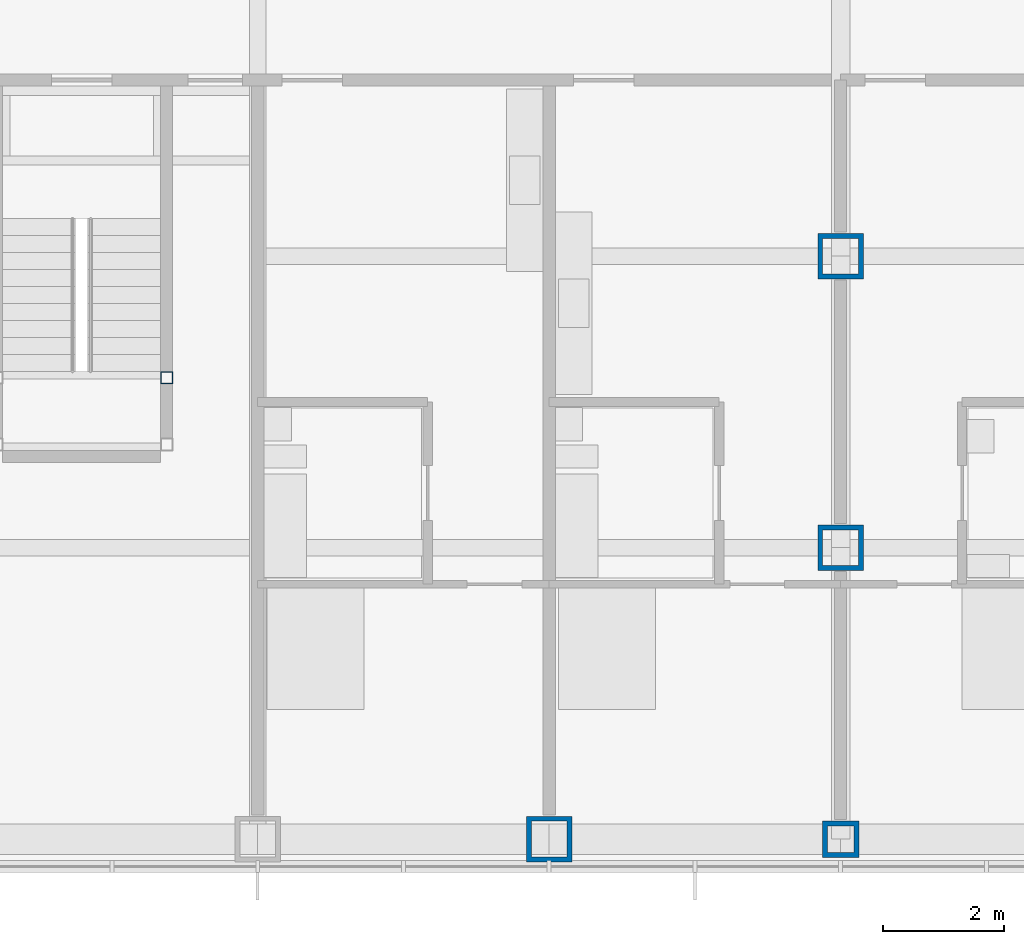
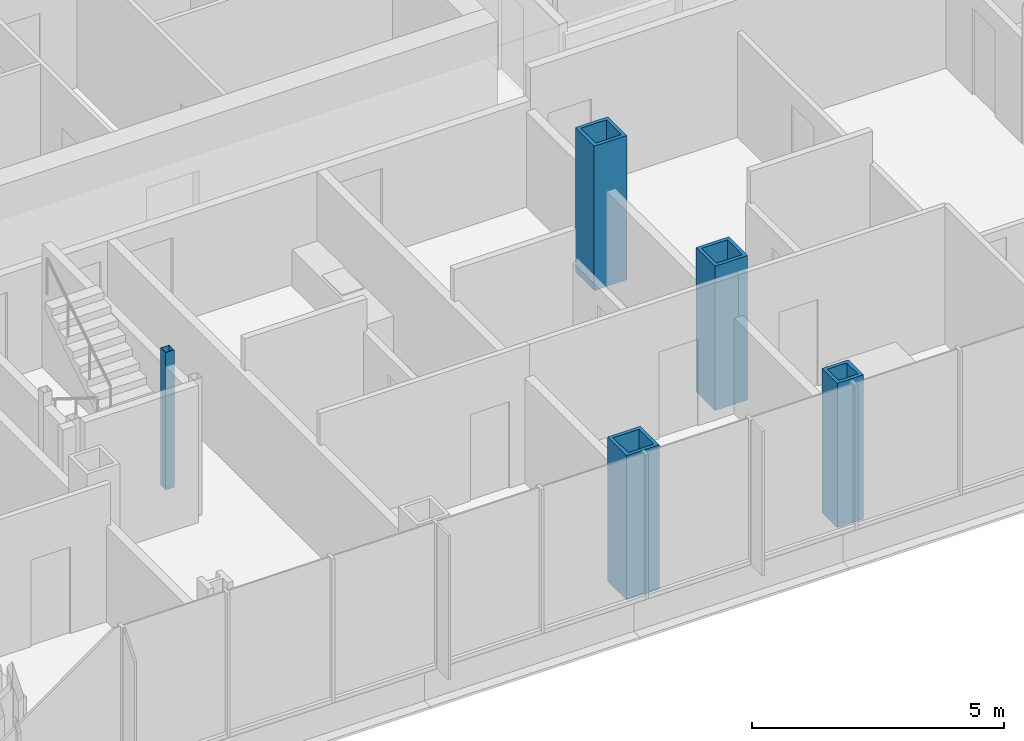
# One storey, part 2 of 21: 5 columns.
"""IFC4 building model written with IfcOpenShell, lengths in metres."""

from ifc_helpers import new_model, si_unit, direction, frame, origin, origin_2d, place, context, subcontext, project, spatial, hollow_rectangle, extrude, material, material_profile, profile_set, type_object, element, save


model = new_model("IFC4")

# Units and contexts
model_context = context("Model", 3, precision=1e-05, world=origin(), true_north=direction((0.0, 1.0)))
body_context = subcontext(model_context, "Body", "Model", "MODEL_VIEW")
ifc_project = project(units=[si_unit("LENGTHUNIT", "METRE"), si_unit("AREAUNIT", "SQUARE_METRE"), si_unit("VOLUMEUNIT", "CUBIC_METRE"), si_unit("PLANEANGLEUNIT", "RADIAN"), si_unit("MASSUNIT", "GRAM", prefix="KILO")], contexts=[model_context])

# Site, building, storey
site_placement = place(None, origin())
site = spatial("IfcSite", under=ifc_project, at=site_placement, CompositionType="ELEMENT")
building_placement = place(site_placement, origin())
building = spatial("IfcBuilding", under=site, at=building_placement, Name="Kvirike Care Tower", CompositionType="ELEMENT")
storey_placement = place(building_placement, frame((0.0, 0.0, 51.5)))
storey = spatial("IfcBuildingStorey", under=building, at=storey_placement, Name="L13", CompositionType="ELEMENT", Elevation=51.5)

# Columns
ifc_material_1 = material(Name="Steel S460", Category="steel")
ifc_material_profile_1 = material_profile(ifc_material_1, hollow_rectangle(XDim=0.60009765625, YDim=0.60009765625, WallThickness=0.080078125, at=origin_2d()), Name="BX 600x600x80")
ifc_profile_set_1 = profile_set([ifc_material_profile_1], Name="Steel S460")
column_type_1 = type_object("IfcColumnType", Name="COLUMN BX 600x600x80", PredefinedType="COLUMN", material=ifc_profile_set_1)
column_1_placement = place(storey_placement, frame((28.800048828125, 14.39990234375, 0.0), z_axis=(0.0, 0.0, 1.0), x_axis=(0.0, 1.0, 0.0)))
element("IfcColumn", 1, at=column_1_placement, inside=storey, type_object=column_type_1, Name="Column D9 L13", PredefinedType="COLUMN", context=body_context, shape_type="SweptSolid", body=[
    extrude(hollow_rectangle(XDim=0.60009765625, YDim=0.60009765625, WallThickness=0.080078125, at=origin_2d()), origin(), (0.0, 0.0, 1.0), 3.5),
])
ifc_material_2 = material(Name="Steel S460", Category="steel")
ifc_material_profile_2 = material_profile(ifc_material_2, hollow_rectangle(XDim=0.75, YDim=0.75, WallThickness=0.080078125, at=origin_2d()), Name="BX 750x750x80")
ifc_profile_set_2 = profile_set([ifc_material_profile_2], Name="Steel S460")
column_type_2 = type_object("IfcColumnType", Name="COLUMN BX 750x750x80", PredefinedType="COLUMN", material=ifc_profile_set_2)
for number, where, z_axis, x_axis, name in (
    (2, (24.0, 14.39990234375, 0.0), (0.0, 0.0, 1.0), (0.0, 1.0, 0.0), "Column D8 L13"),
    (3, (28.800048828125, 19.199951171875, 0.0), (0.0, 0.0, 1.0), (1.0, 0.0, 0.0), "Column E9 L13"),
    (4, (28.800048828125, 24.0, 0.0), (0.0, 0.0, 1.0), (1.0, 0.0, 0.0), "Column F9 L13"),
):
    element("IfcColumn", number, at=place(storey_placement, frame(where, z_axis=z_axis, x_axis=x_axis)), inside=storey, type_object=column_type_2, Name=name, PredefinedType="COLUMN", context=body_context, shape_type="SweptSolid", body=[
        extrude(hollow_rectangle(XDim=0.75, YDim=0.75, WallThickness=0.080078125, at=origin_2d()), origin(), (0.0, 0.0, 1.0), 3.5),
    ])
ifc_material_3 = material(Name="Steel S460", Category="steel")
ifc_material_profile_3 = material_profile(ifc_material_3, hollow_rectangle(XDim=0.199951171875, YDim=0.199951171875, WallThickness=0.008056640625, at=origin_2d()), Name="SHS 200x200x8")
ifc_profile_set_3 = profile_set([ifc_material_profile_3], Name="Steel S460")
column_type_3 = type_object("IfcColumnType", Name="STAIR POST SHS 200x200x8", PredefinedType="COLUMN", material=ifc_profile_set_3)
column_2_placement = place(storey_placement, frame((17.699951171875, 22.0, 0.0), z_axis=(0.0, 0.0, 1.0), x_axis=(1.0, 0.0, 0.0)))
element("IfcColumn", 5, at=column_2_placement, inside=storey, type_object=column_type_3, Name="Stair 5 post 4 L13", PredefinedType="COLUMN", context=body_context, shape_type="SweptSolid", body=[
    extrude(hollow_rectangle(XDim=0.199951171875, YDim=0.199951171875, WallThickness=0.008056640625, at=origin_2d()), origin(), (0.0, 0.0, 1.0), 3.330078125),
])

save(model, "model.ifc")
